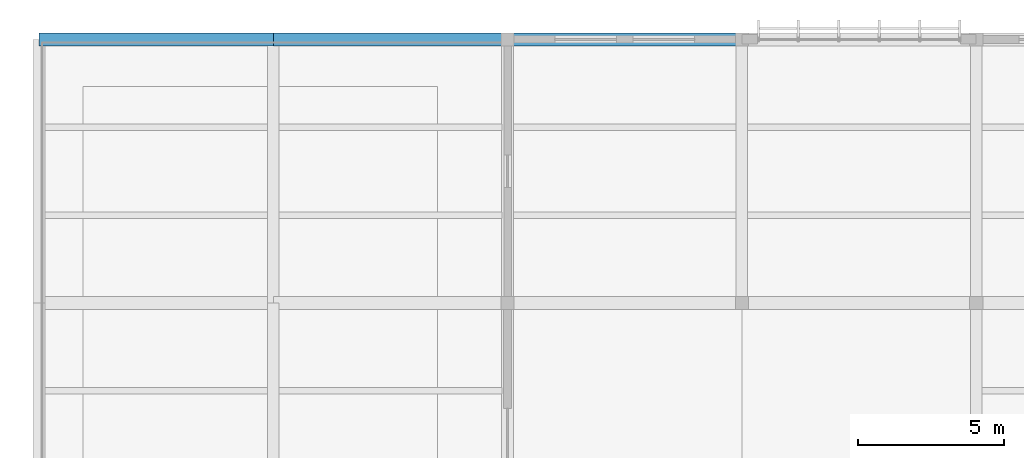
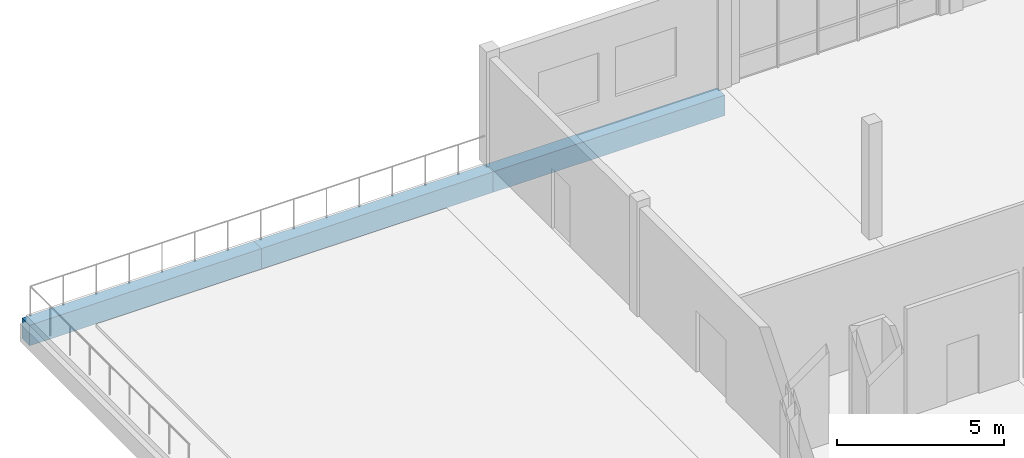
# One storey, part 60 of 94: 3 beams.
"""IFC4 building model written with IfcOpenShell, lengths in metres."""

from ifc_helpers import new_model, si_unit, direction, frame, origin, origin_2d, place, context, subcontext, project, spatial, rectangle, extrude, material, material_profile, profile_set, type_object, element, save


model = new_model("IFC4")

# Units and contexts
model_context = context("Model", 3, precision=1e-05, world=origin(), true_north=direction((0.0, 1.0)))
body_context = subcontext(model_context, "Body", "Model", "MODEL_VIEW")
ifc_project = project(units=[si_unit("LENGTHUNIT", "METRE"), si_unit("AREAUNIT", "SQUARE_METRE"), si_unit("VOLUMEUNIT", "CUBIC_METRE"), si_unit("PLANEANGLEUNIT", "RADIAN"), si_unit("MASSUNIT", "GRAM", prefix="KILO")], contexts=[model_context])

# Site, building, storey
site_placement = place(None, origin())
site = spatial("IfcSite", under=ifc_project, at=site_placement, CompositionType="ELEMENT")
building_placement = place(site_placement, origin())
building = spatial("IfcBuilding", under=site, at=building_placement, Name="Chiffa Square Polytechnic", CompositionType="ELEMENT")
storey_placement = place(building_placement, frame((0.0, 0.0, 18.0)))
storey = spatial("IfcBuildingStorey", under=building, at=storey_placement, Name="L04", CompositionType="ELEMENT", Elevation=18.0)

# Beams
ifc_material = material(Name="Concrete C35/45", Category="concrete")
ifc_material_profile = material_profile(ifc_material, rectangle(XDim=0.449951171875, YDim=0.75, at=origin_2d()), Name="RC 450x750")
ifc_profile_set = profile_set([ifc_material_profile], Name="Concrete C35/45")
beam_type = type_object("IfcBeamType", Name="BM-RC-450X750", PredefinedType="BEAM", material=ifc_profile_set)
for number, where, z_axis, x_axis, name in (
    (1, (0.0, 130.800048828125, -0.614990234375), (1.0, 0.0, 0.0), (0.0, 1.0, 0.0), "Primary floor girder BM-V5-L04-X-0000-1308"),
    (2, (8.0, 130.800048828125, -0.614990234375), (1.0, 0.0, 0.0), (0.0, 1.0, 0.0), "Primary floor girder BM-V5-L04-X-0080-1308"),
    (3, (16.0, 130.800048828125, -0.614990234375), (1.0, 0.0, 0.0), (0.0, 1.0, 0.0), "Primary floor girder BM-V5-L04-X-0160-1308"),
):
    element("IfcBeam", number, at=place(storey_placement, frame(where, z_axis=z_axis, x_axis=x_axis)), inside=storey, type_object=beam_type, Name=name, PredefinedType="BEAM", context=body_context, shape_type="SweptSolid", body=[
        extrude(rectangle(XDim=0.449951171875, YDim=0.75, at=origin_2d()), origin(), (0.0, 0.0, 1.0), 8.0),
    ])

save(model, "model.ifc")
